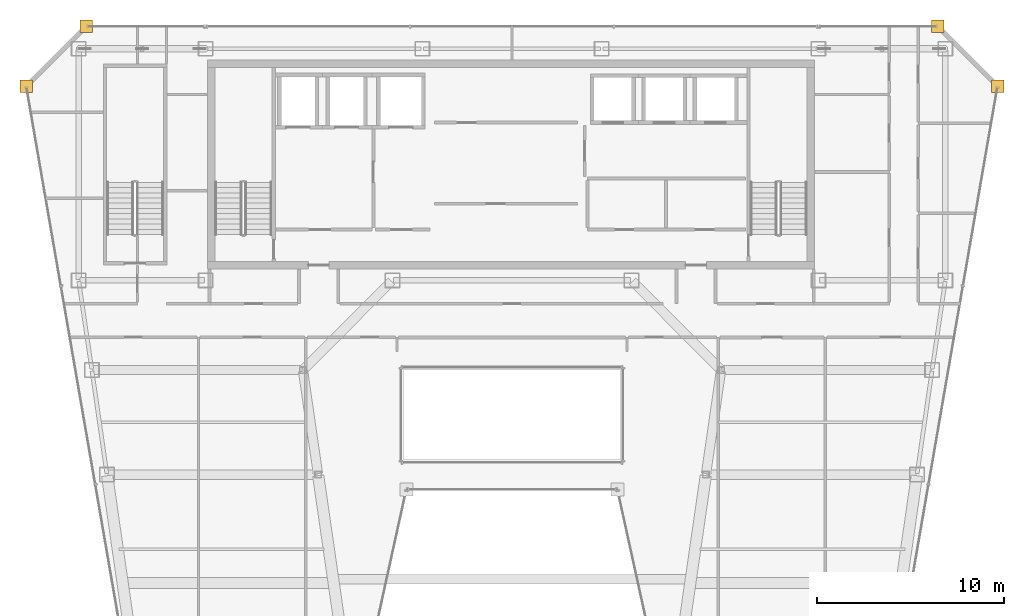
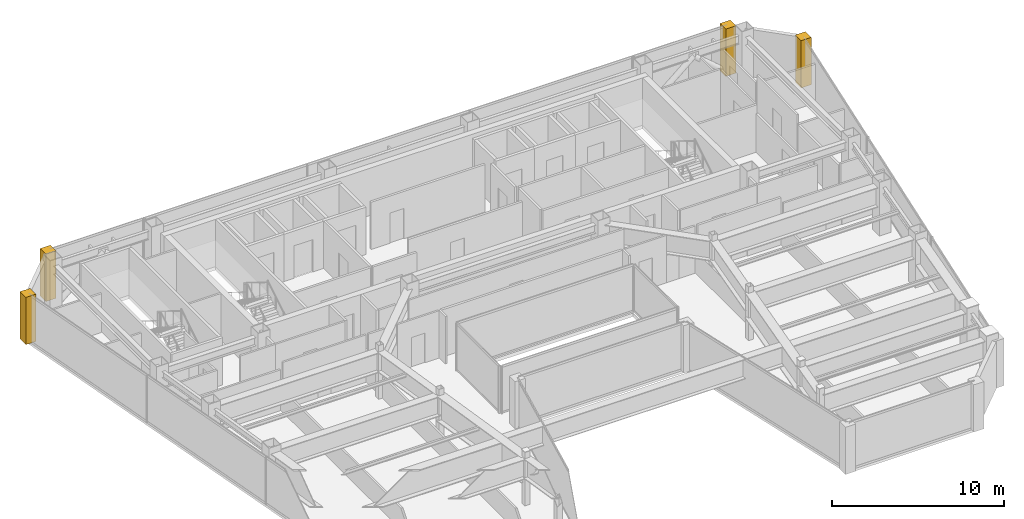
# One storey, part 35 of 35: 4 coverings.
"""IFC4 building model written with IfcOpenShell, lengths in metres."""

from ifc_helpers import new_model, si_unit, direction, frame, origin, place, context, subcontext, project, spatial, polyline, outline, extrude, material, layer, layer_set, type_object, element, save


model = new_model("IFC4")

# Units and contexts
model_context = context("Model", 3, precision=1e-05, world=origin(), true_north=direction((0.0, 1.0)))
body_context = subcontext(model_context, "Body", "Model", "MODEL_VIEW")
ifc_project = project(units=[si_unit("LENGTHUNIT", "METRE"), si_unit("AREAUNIT", "SQUARE_METRE"), si_unit("VOLUMEUNIT", "CUBIC_METRE"), si_unit("PLANEANGLEUNIT", "RADIAN"), si_unit("MASSUNIT", "GRAM", prefix="KILO")], contexts=[model_context])

# Site, building, storey
site_placement = place(None, origin())
site = spatial("IfcSite", under=ifc_project, at=site_placement, CompositionType="ELEMENT")
building_placement = place(site_placement, origin())
building = spatial("IfcBuilding", under=site, at=building_placement, Name="Saevonmaru Cultural Tower", CompositionType="ELEMENT")
storey_placement = place(building_placement, frame((0.0, 0.0, 249.60009765625)))
storey = spatial("IfcBuildingStorey", under=building, at=storey_placement, Name="L58", CompositionType="ELEMENT", Elevation=249.60009765625)

# Coverings
ifc_material = material(Name="Satin Bronze Anodised Aluminium", Category="aluminium")
ifc_layer = layer(ifc_material, 0.679931640625, Name="Satin Bronze Anodised Aluminium")
ifc_layer_set = layer_set([ifc_layer], Name="Satin Bronze Anodised Aluminium")
covering_type = type_object("IfcCoveringType", Name="CV-CORNER-CLAD", PredefinedType="CLADDING", material=ifc_layer_set)
covering_1_placement = place(storey_placement, origin())
element("IfcCovering", 1, at=covering_1_placement, inside=storey, type_object=covering_type, Name="L58 Tower Bronze Corner Cladding Pier 9", PredefinedType="CLADDING", context=body_context, shape_type="SweptSolid", body=[
    extrude(outline(polyline([(55.659912109375, 52.4599609375), (56.340087890625, 52.4599609375), (56.340087890625, 53.139892578125), (55.659912109375, 53.139892578125), (55.659912109375, 52.4599609375)])), origin(), (0.0, 0.0, 1.0), 3.349853515625),
])
covering_2_placement = place(storey_placement, origin())
element("IfcCovering", 2, at=covering_2_placement, inside=storey, type_object=covering_type, Name="L58 Tower Bronze Corner Cladding Pier 10", PredefinedType="CLADDING", context=body_context, shape_type="SweptSolid", body=[
    extrude(outline(polyline([(52.4599609375, 55.659912109375), (53.139892578125, 55.659912109375), (53.139892578125, 56.340087890625), (52.4599609375, 56.340087890625), (52.4599609375, 55.659912109375)])), origin(), (0.0, 0.0, 1.0), 3.349853515625),
])
covering_3_placement = place(storey_placement, origin())
element("IfcCovering", 3, at=covering_3_placement, inside=storey, type_object=covering_type, Name="L58 Tower Bronze Corner Cladding Pier 11", PredefinedType="CLADDING", context=body_context, shape_type="SweptSolid", body=[
    extrude(outline(polyline([(6.860107421875, 55.659912109375), (7.5400390625, 55.659912109375), (7.5400390625, 56.340087890625), (6.860107421875, 56.340087890625), (6.860107421875, 55.659912109375)])), origin(), (0.0, 0.0, 1.0), 3.349853515625),
])
covering_4_placement = place(storey_placement, origin())
element("IfcCovering", 4, at=covering_4_placement, inside=storey, type_object=covering_type, Name="L58 Tower Bronze Corner Cladding Pier 12", PredefinedType="CLADDING", context=body_context, shape_type="SweptSolid", body=[
    extrude(outline(polyline([(3.659912109375, 52.4599609375), (4.340087890625, 52.4599609375), (4.340087890625, 53.139892578125), (3.659912109375, 53.139892578125), (3.659912109375, 52.4599609375)])), origin(), (0.0, 0.0, 1.0), 3.349853515625),
])

save(model, "model.ifc")
